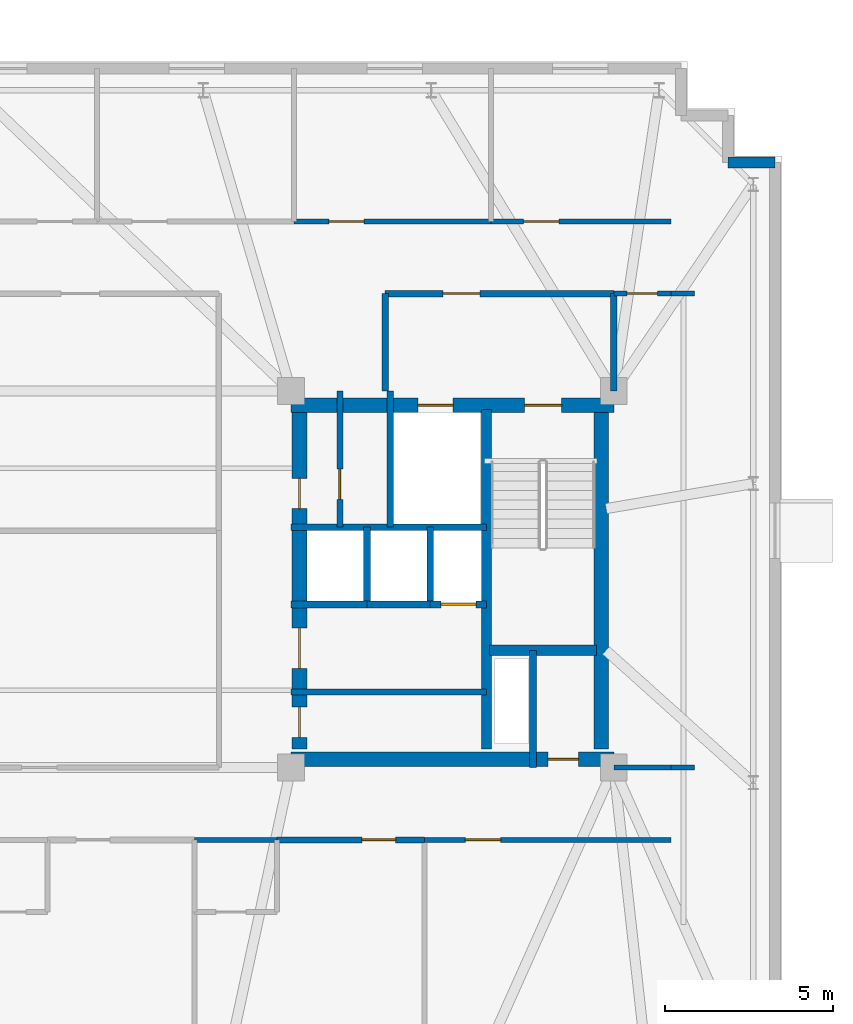
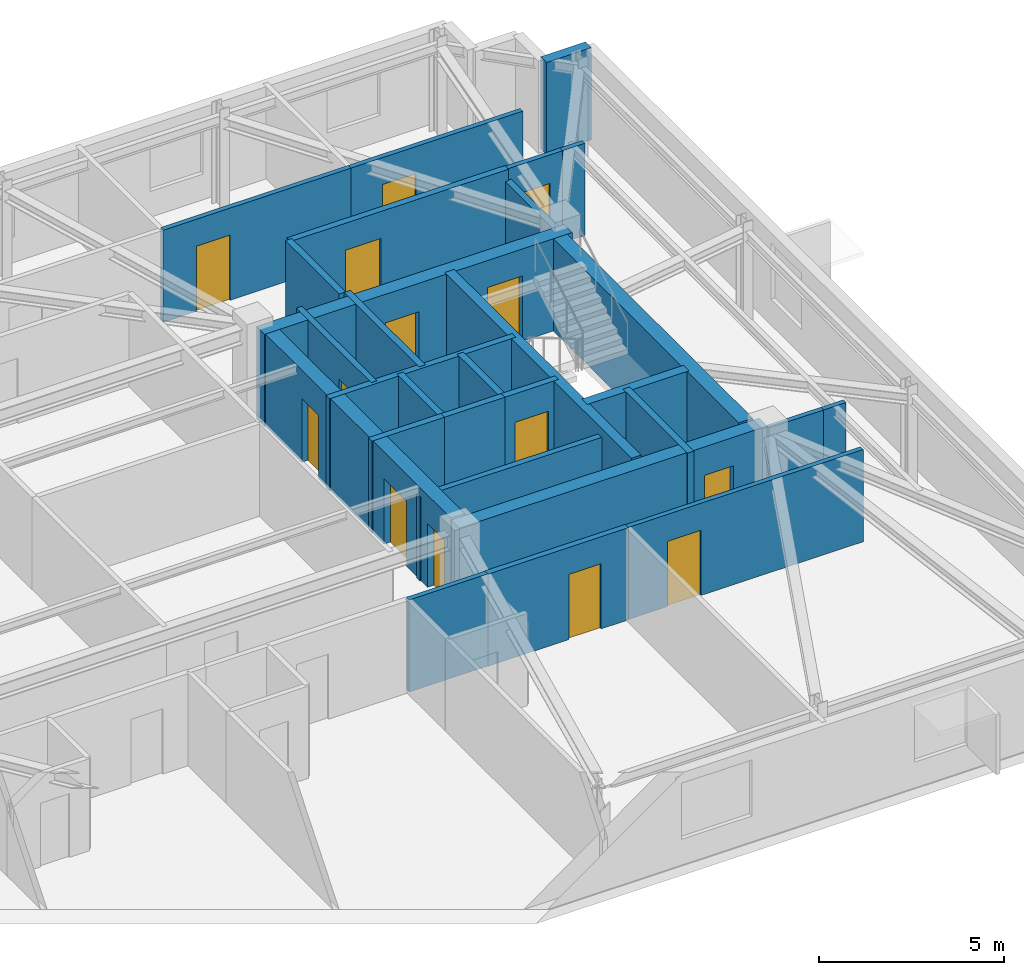
# One storey, part 8 of 11: 29 walls, 14 doors, 14 openings.
"""IFC4 building model written with IfcOpenShell, lengths in metres."""

from ifc_helpers import new_model, si_unit, direction, frame, frame_2d, origin, place, context, subcontext, project, spatial, rectangle, extrude, material, layer, layer_set, type_object, element, fill, save


model = new_model("IFC4")

# Units and contexts
model_context = context("Model", 3, precision=1e-05, world=origin(), true_north=direction((0.0, 1.0)))
body_context = subcontext(model_context, "Body", "Model", "MODEL_VIEW")
ifc_project = project(units=[si_unit("LENGTHUNIT", "METRE"), si_unit("AREAUNIT", "SQUARE_METRE"), si_unit("VOLUMEUNIT", "CUBIC_METRE"), si_unit("PLANEANGLEUNIT", "RADIAN"), si_unit("MASSUNIT", "GRAM", prefix="KILO")], contexts=[model_context])

# Site, building, storey
site_placement = place(None, origin())
site = spatial("IfcSite", under=ifc_project, at=site_placement, CompositionType="ELEMENT")
building_placement = place(site_placement, origin())
building = spatial("IfcBuilding", under=site, at=building_placement, Name="Qobustan Lattice House", CompositionType="ELEMENT")
storey_placement = place(building_placement, frame((0.0, 0.0, 245.050048828125)))
storey = spatial("IfcBuildingStorey", under=building, at=storey_placement, Name="L69", CompositionType="ELEMENT", Elevation=245.050048828125)

# Wall, openings, doors
ifc_material_1 = material(Name="Concrete C50/60", Category="concrete")
ifc_layer_1 = layer(ifc_material_1, 0.43994140625)
ifc_layer_set_1 = layer_set([ifc_layer_1], Name="Concrete C50/60")
wall_type_1 = type_object("IfcWallType", Name="WAL-CORE-440", PredefinedType="SHEAR", material=ifc_layer_set_1)
wall_1_placement = place(storey_placement, frame((9.199951171875, 5.179931640625, 0.0), z_axis=(0.0, 0.0, 1.0), x_axis=(1.0, 0.0, 0.0)))
wall_1 = element("IfcWall", 1, at=wall_1_placement, inside=storey, type_object=wall_type_1, Name="L69 split-core shear wall CE-N", PredefinedType="SHEAR", context=body_context, shape_type="SweptSolid", body=[
    extrude(rectangle(XDim=9.60009765625, YDim=0.43994140625, at=frame_2d((4.800048828125, 0.0))), origin(), (0.0, 0.0, 1.0), 3.0400390625),
])
opening_1_placement = place(wall_1_placement, frame((6.949951171875, 0.0, 0.0)))
opening_1 = element("IfcOpeningElement", 2, at=opening_1_placement, cuts=wall_1, Name="Opening SD-01", PredefinedType="OPENING", context=body_context, shape_type="SweptSolid", body=[
    extrude(rectangle(XDim=1.10009765625, YDim=2.14990234375, at=frame_2d((0.550048828125, 1.074951171875))), frame((0.0, 0.22998046875, 0.0), z_axis=(0.0, -1.0, 0.0), x_axis=(1.0, 0.0, 0.0)), (0.0, 0.0, 1.0), 0.4599609375),
])
opening_2_placement = place(wall_1_placement, frame((3.77490234375, 0.0, 0.0)))
opening_2 = element("IfcOpeningElement", 3, at=opening_2_placement, cuts=wall_1, Name="Opening LD-01", PredefinedType="OPENING", context=body_context, shape_type="SweptSolid", body=[
    extrude(rectangle(XDim=1.050048828125, YDim=2.10009765625, at=frame_2d((0.52490234375, 1.050048828125))), frame((0.0, 0.22998046875, 0.0), z_axis=(0.0, -1.0, 0.0), x_axis=(1.0, 0.0, 0.0)), (0.0, 0.0, 1.0), 0.4599609375),
])
ifc_material_2 = material(Name="Persian walnut timber and steel frame door", Category="steel")
door_type_1 = type_object("IfcDoorType", Name="DOR-LIFT-LD-1050x2100", OperationType="NOTDEFINED", PredefinedType="DOOR", material=ifc_material_2)
door_1_placement = place(opening_2_placement, origin())
door_1 = element("IfcDoor", 4, at=door_1_placement, inside=storey, type_object=door_type_1, Name="L69 firefighting lift FF-E landing door", OperationType="DOUBLE_DOOR_SLIDING", OverallHeight=2.10009765625, OverallWidth=1.050048828125, PredefinedType="DOOR", context=body_context, shape_type="SweptSolid", body=[
    extrude(rectangle(XDim=1.050048828125, YDim=2.10009765625, at=frame_2d((0.52490234375, 1.050048828125))), frame((0.0, 0.02490234375, 0.0), z_axis=(0.0, -1.0, 0.0), x_axis=(1.0, 0.0, 0.0)), (0.0, 0.0, 1.0), 0.050048828125),
])
fill(opening_2, door_1)
ifc_material_3 = material(Name="Persian walnut timber and steel frame door", Category="steel")
door_type_2 = type_object("IfcDoorType", Name="DOR-STAIR-FD-1100x2150", OperationType="NOTDEFINED", PredefinedType="DOOR", material=ifc_material_3)
door_2_placement = place(opening_1_placement, origin())
door_2 = element("IfcDoor", 5, at=door_2_placement, inside=storey, type_object=door_type_2, Name="L69 exit stair ST-E1 fire door", OperationType="SINGLE_SWING_LEFT", OverallHeight=2.14990234375, OverallWidth=1.10009765625, PredefinedType="DOOR", context=body_context, shape_type="SweptSolid", body=[
    extrude(rectangle(XDim=1.10009765625, YDim=2.14990234375, at=frame_2d((0.550048828125, 1.074951171875))), frame((0.0, 0.02490234375, 0.0), z_axis=(0.0, -1.0, 0.0), x_axis=(1.0, 0.0, 0.0)), (0.0, 0.0, 1.0), 0.050048828125),
])
fill(opening_1, door_2)

# Wall, opening, door
wall_2_placement = place(storey_placement, frame((9.199951171875, -5.35009765625, 0.0), z_axis=(0.0, 0.0, 1.0), x_axis=(1.0, 0.0, 0.0)))
wall_2 = element("IfcWall", 6, at=wall_2_placement, inside=storey, type_object=wall_type_1, Name="L69 split-core shear wall CE-S", PredefinedType="SHEAR", context=body_context, shape_type="SweptSolid", body=[
    extrude(rectangle(XDim=9.60009765625, YDim=0.43994140625, at=frame_2d((4.800048828125, 0.0))), origin(), (0.0, 0.0, 1.0), 3.0400390625),
])
opening_3_placement = place(wall_2_placement, frame((7.64990234375, 0.0, 0.0)))
opening_3 = element("IfcOpeningElement", 7, at=opening_3_placement, cuts=wall_2, Name="Opening RD-01", PredefinedType="OPENING", context=body_context, shape_type="SweptSolid", body=[
    extrude(rectangle(XDim=0.89990234375, YDim=2.10009765625, at=frame_2d((0.449951171875, 1.050048828125))), frame((0.0, 0.22998046875, 0.0), z_axis=(0.0, -1.0, 0.0), x_axis=(1.0, 0.0, 0.0)), (0.0, 0.0, 1.0), 0.4599609375),
])
ifc_material_4 = material(Name="Persian walnut timber and steel frame door", Category="steel")
door_type_3 = type_object("IfcDoorType", Name="DOR-RISER-FD-900x2100", OperationType="NOTDEFINED", PredefinedType="DOOR", material=ifc_material_4)
door_3_placement = place(opening_3_placement, origin())
door_3 = element("IfcDoor", 8, at=door_3_placement, inside=storey, type_object=door_type_3, Name="L69 core service riser access door E", OperationType="SINGLE_SWING_LEFT", OverallHeight=2.10009765625, OverallWidth=0.89990234375, PredefinedType="DOOR", context=body_context, shape_type="SweptSolid", body=[
    extrude(rectangle(XDim=0.89990234375, YDim=2.10009765625, at=frame_2d((0.449951171875, 1.050048828125))), frame((0.0, 0.02490234375, 0.0), z_axis=(0.0, -1.0, 0.0), x_axis=(1.0, 0.0, 0.0)), (0.0, 0.0, 1.0), 0.050048828125),
])
fill(opening_3, door_3)

# Wall, openings, doors
wall_3_placement = place(storey_placement, frame((9.449951171875, -5.050048828125, 0.0), z_axis=(0.0, 0.0, 1.0), x_axis=(0.0, 1.0, 0.0)))
wall_3 = element("IfcWall", 9, at=wall_3_placement, inside=storey, type_object=wall_type_1, Name="L69 split-core shear wall CE-W", PredefinedType="SHEAR", context=body_context, shape_type="SweptSolid", body=[
    extrude(rectangle(XDim=10.10009765625, YDim=0.43994140625, at=frame_2d((5.050048828125, 0.0))), origin(), (0.0, 0.0, 1.0), 3.0400390625),
])
opening_4_placement = place(wall_3_placement, frame((7.14990234375, 0.0, 0.0)))
opening_4 = element("IfcOpeningElement", 10, at=opening_4_placement, cuts=wall_3, Name="Opening RD-01", PredefinedType="OPENING", context=body_context, shape_type="SweptSolid", body=[
    extrude(rectangle(XDim=0.89990234375, YDim=2.10009765625, at=frame_2d((0.449951171875, 1.050048828125))), frame((0.0, 0.22998046875, 0.0), z_axis=(0.0, -1.0, 0.0), x_axis=(1.0, 0.0, 0.0)), (0.0, 0.0, 1.0), 0.4599609375),
])
opening_5_placement = place(wall_3_placement, frame((2.39990234375, 0.0, 0.0)))
opening_5 = element("IfcOpeningElement", 11, at=opening_5_placement, cuts=wall_3, Name="Opening FD-01", PredefinedType="OPENING", context=body_context, shape_type="SweptSolid", body=[
    extrude(rectangle(XDim=1.199951171875, YDim=2.14990234375, at=frame_2d((0.60009765625, 1.074951171875))), frame((0.0, 0.22998046875, 0.0), z_axis=(0.0, -1.0, 0.0), x_axis=(1.0, 0.0, 0.0)), (0.0, 0.0, 1.0), 0.4599609375),
])
opening_6_placement = place(wall_3_placement, frame((0.35009765625, 0.0, 0.0)))
opening_6 = element("IfcOpeningElement", 12, at=opening_6_placement, cuts=wall_3, Name="Opening RD-01", PredefinedType="OPENING", context=body_context, shape_type="SweptSolid", body=[
    extrude(rectangle(XDim=0.89990234375, YDim=2.10009765625, at=frame_2d((0.449951171875, 1.050048828125))), frame((0.0, 0.22998046875, 0.0), z_axis=(0.0, -1.0, 0.0), x_axis=(1.0, 0.0, 0.0)), (0.0, 0.0, 1.0), 0.4599609375),
])
ifc_material_5 = material(Name="Persian walnut timber and steel frame door", Category="steel")
door_type_4 = type_object("IfcDoorType", Name="DOR-LOBBY-FD-1200x2150", OperationType="NOTDEFINED", PredefinedType="DOOR", material=ifc_material_5)
door_4_placement = place(opening_5_placement, origin())
door_4 = element("IfcDoor", 13, at=door_4_placement, inside=storey, type_object=door_type_4, Name="L69 East passenger lift lobby fire door", OperationType="SINGLE_SWING_RIGHT", OverallHeight=2.14990234375, OverallWidth=1.199951171875, PredefinedType="DOOR", context=body_context, shape_type="SweptSolid", body=[
    extrude(rectangle(XDim=1.199951171875, YDim=2.14990234375, at=frame_2d((0.60009765625, 1.074951171875))), frame((0.0, 0.02490234375, 0.0), z_axis=(0.0, -1.0, 0.0), x_axis=(1.0, 0.0, 0.0)), (0.0, 0.0, 1.0), 0.050048828125),
])
fill(opening_5, door_4)
door_5_placement = place(opening_4_placement, origin())
door_5 = element("IfcDoor", 14, at=door_5_placement, inside=storey, type_object=door_type_3, Name="L69 Print and mail closet fire door", OperationType="SINGLE_SWING_LEFT", OverallHeight=2.10009765625, OverallWidth=0.89990234375, PredefinedType="DOOR", context=body_context, shape_type="SweptSolid", body=[
    extrude(rectangle(XDim=0.89990234375, YDim=2.10009765625, at=frame_2d((0.449951171875, 1.050048828125))), frame((0.0, 0.02490234375, 0.0), z_axis=(0.0, -1.0, 0.0), x_axis=(1.0, 0.0, 0.0)), (0.0, 0.0, 1.0), 0.050048828125),
])
fill(opening_4, door_5)
door_6_placement = place(opening_6_placement, origin())
door_6 = element("IfcDoor", 15, at=door_6_placement, inside=storey, type_object=door_type_3, Name="L69 Graduate seminar alcove fire door", OperationType="SINGLE_SWING_LEFT", OverallHeight=2.10009765625, OverallWidth=0.89990234375, PredefinedType="DOOR", context=body_context, shape_type="SweptSolid", body=[
    extrude(rectangle(XDim=0.89990234375, YDim=2.10009765625, at=frame_2d((0.449951171875, 1.050048828125))), frame((0.0, 0.02490234375, 0.0), z_axis=(0.0, -1.0, 0.0), x_axis=(1.0, 0.0, 0.0)), (0.0, 0.0, 1.0), 0.050048828125),
])
fill(opening_6, door_6)

# Walls
wall_4_placement = place(storey_placement, frame((18.429931640625, -5.050048828125, 0.0), z_axis=(0.0, 0.0, 1.0), x_axis=(0.0, 1.0, 0.0)))
element("IfcWall", 16, at=wall_4_placement, inside=storey, type_object=wall_type_1, Name="L69 split-core shear wall CE-E", PredefinedType="SHEAR", context=body_context, shape_type="SweptSolid", body=[
    extrude(rectangle(XDim=10.10009765625, YDim=0.43994140625, at=frame_2d((5.050048828125, 0.0))), origin(), (0.0, 0.0, 1.0), 3.0400390625),
])
ifc_material_6 = material(Name="Concrete C50/60", Category="concrete")
ifc_layer_2 = layer(ifc_material_6, 0.280029296875)
ifc_layer_set_2 = layer_set([ifc_layer_2], Name="Concrete C50/60")
wall_type_2 = type_object("IfcWallType", Name="WAL-CORE-SPINE-280", PredefinedType="SHEAR", material=ifc_layer_set_2)
wall_5_placement = place(storey_placement, frame((15.02001953125, -5.050048828125, 0.0), z_axis=(0.0, 0.0, 1.0), x_axis=(0.0, 1.0, 0.0)))
element("IfcWall", 17, at=wall_5_placement, inside=storey, type_object=wall_type_2, Name="L69 split-core shear wall CE-M", PredefinedType="SHEAR", context=body_context, shape_type="SweptSolid", body=[
    extrude(rectangle(XDim=10.10009765625, YDim=0.300048828125, at=frame_2d((5.050048828125, 0.0))), origin(), (0.0, 0.0, 1.0), 3.0400390625),
])
wall_6_placement = place(storey_placement, frame((15.10009765625, -2.110107421875, 0.0), z_axis=(0.0, 0.0, 1.0), x_axis=(1.0, 0.0, 0.0)))
element("IfcWall", 18, at=wall_6_placement, inside=storey, type_object=wall_type_2, Name="L69 split-core shear wall CE-ST", PredefinedType="SHEAR", context=body_context, shape_type="SweptSolid", body=[
    extrude(rectangle(XDim=3.179931640625, YDim=0.300048828125, at=frame_2d((1.58984375, 0.0))), origin(), (0.0, 0.0, 1.0), 3.0400390625),
])
ifc_material_7 = material(Name="Precast concrete C40/50", Category="concrete")
ifc_layer_3 = layer(ifc_material_7, 0.320068359375)
ifc_layer_set_3 = layer_set([ifc_layer_3], Name="Precast concrete C40/50")
wall_type_3 = type_object("IfcWallType", Name="WAL-EXT-STONE-320", PredefinedType="SOLIDWALL", material=ifc_layer_set_3)
wall_7_placement = place(storey_placement, frame((22.199951171875, 12.39990234375, 0.0), z_axis=(0.0, 0.0, 1.0), x_axis=(1.0, 0.0, 0.0)))
element("IfcWall", 19, at=wall_7_placement, inside=storey, type_object=wall_type_3, Name="L69 exterior limestone-clad wall 14", PredefinedType="SOLIDWALL", context=body_context, shape_type="SweptSolid", body=[
    extrude(rectangle(XDim=1.400146484375, YDim=0.320068359375, at=frame_2d((0.7001953125, 0.0))), origin(), (0.0, 0.0, 1.0), 3.0400390625),
])

# Wall, opening, door
ifc_material_8 = material(Name="Gypsum fireboard acoustic partition", Category="gypsum")
ifc_layer_4 = layer(ifc_material_8, 0.179931640625)
ifc_layer_set_4 = layer_set([ifc_layer_4], Name="Gypsum fireboard acoustic partition")
wall_type_4 = type_object("IfcWallType", Name="WAL-FIRE-180", PredefinedType="PARTITIONING", material=ifc_layer_set_4)
wall_8_placement = place(storey_placement, frame((10.64990234375, 1.550048828125, 0.0), z_axis=(0.0, 0.0, 1.0), x_axis=(0.0, 1.0, 0.0)))
wall_8 = element("IfcWall", 20, at=wall_8_placement, inside=storey, type_object=wall_type_4, Name="L69 interior partition 18", PredefinedType="PARTITIONING", context=body_context, shape_type="SweptSolid", body=[
    extrude(rectangle(XDim=4.050048828125, YDim=0.179931640625, at=frame_2d((2.02490234375, 0.0))), origin(), (0.0, 0.0, 1.0), 3.0400390625),
])
opening_7_placement = place(wall_8_placement, frame((0.828857421875, 0.0, 0.0)))
opening_7 = element("IfcOpeningElement", 21, at=opening_7_placement, cuts=wall_8, Name="Opening RD-01", PredefinedType="OPENING", context=body_context, shape_type="SweptSolid", body=[
    extrude(rectangle(XDim=0.89990234375, YDim=2.10009765625, at=frame_2d((0.449951171875, 1.050048828125))), frame((0.0, 0.099853515625, 0.0), z_axis=(0.0, -1.0, 0.0), x_axis=(1.0, 0.0, 0.0)), (0.0, 0.0, 1.0), 0.199951171875),
])
door_7_placement = place(opening_7_placement, origin())
door_7 = element("IfcDoor", 22, at=door_7_placement, inside=storey, type_object=door_type_3, Name="L69 Print and mail closet to Core utility store door", OperationType="SINGLE_SWING_RIGHT", OverallHeight=2.10009765625, OverallWidth=0.89990234375, PredefinedType="DOOR", context=body_context, shape_type="SweptSolid", body=[
    extrude(rectangle(XDim=0.89990234375, YDim=2.10009765625, at=frame_2d((0.449951171875, 1.050048828125))), frame((0.0, 0.02490234375, 0.0), z_axis=(0.0, -1.0, 0.0), x_axis=(1.0, 0.0, 0.0)), (0.0, 0.0, 1.0), 0.050048828125),
])
fill(opening_7, door_7)

# Wall
wall_9_placement = place(storey_placement, frame((9.199951171875, -3.35009765625, 0.0), z_axis=(0.0, 0.0, 1.0), x_axis=(1.0, 0.0, 0.0)))
element("IfcWall", 23, at=wall_9_placement, inside=storey, type_object=wall_type_4, Name="L69 interior partition 20", PredefinedType="PARTITIONING", context=body_context, shape_type="SweptSolid", body=[
    extrude(rectangle(XDim=5.820068359375, YDim=0.179931640625, at=frame_2d((2.91015625, 0.0))), origin(), (0.0, 0.0, 1.0), 2.7548828125),
])

# Wall, opening, door
wall_10_placement = place(storey_placement, frame((13.1669921875, -7.75, 0.0), z_axis=(0.0, 0.0, 1.0), x_axis=(-1.0, 0.0, 0.0)))
wall_10 = element("IfcWall", 24, at=wall_10_placement, inside=storey, type_object=wall_type_4, Name="L69 interior partition 56", PredefinedType="PARTITIONING", context=body_context, shape_type="SweptSolid", body=[
    extrude(rectangle(XDim=4.384033203125, YDim=0.179931640625, at=frame_2d((2.19189453125, 0.0))), origin(), (0.0, 0.0, 1.0), 3.0400390625),
])
opening_8_placement = place(wall_10_placement, frame((0.85791015625, 0.0, 0.0)))
opening_8 = element("IfcOpeningElement", 25, at=opening_8_placement, cuts=wall_10, Name="Opening FD-02", PredefinedType="OPENING", context=body_context, shape_type="SweptSolid", body=[
    extrude(rectangle(XDim=1.0, YDim=2.14990234375, at=frame_2d((0.5, 1.074951171875))), frame((0.0, 0.099853515625, 0.0), z_axis=(0.0, -1.0, 0.0), x_axis=(1.0, 0.0, 0.0)), (0.0, 0.0, 1.0), 0.199951171875),
])
ifc_material_9 = material(Name="Persian walnut timber and steel frame door", Category="steel")
door_type_5 = type_object("IfcDoorType", Name="DOR-UNIT-FD-1000x2150", OperationType="NOTDEFINED", PredefinedType="DOOR", material=ifc_material_9)
door_8_placement = place(opening_8_placement, origin())
door_8 = element("IfcDoor", 26, at=door_8_placement, inside=storey, type_object=door_type_5, Name="L69 South-east floor corridor to Kitchenette and studio apartment L69-S5 door", OperationType="SINGLE_SWING_LEFT", OverallHeight=2.14990234375, OverallWidth=1.0, PredefinedType="DOOR", context=body_context, shape_type="SweptSolid", body=[
    extrude(rectangle(XDim=1.0, YDim=2.14990234375, at=frame_2d((0.5, 1.074951171875))), frame((0.0, 0.02490234375, 0.0), z_axis=(0.0, -1.0, 0.0), x_axis=(1.0, 0.0, 0.0)), (0.0, 0.0, 1.0), 0.050048828125),
])
fill(opening_8, door_8)

ifc_material_10 = material(Name="Acoustic twin-stud gypsum partition", Category="gypsum")
ifc_layer_5 = layer(ifc_material_10, 0.14990234375)
ifc_layer_set_5 = layer_set([ifc_layer_5], Name="Acoustic twin-stud gypsum partition")
wall_type_5 = type_object("IfcWallType", Name="WAL-PART-150", PredefinedType="PARTITIONING", material=ifc_layer_set_5)
wall_11_placement = place(storey_placement, frame((20.5, 8.5, 0.0), z_axis=(0.0, 0.0, 1.0), x_axis=(-1.0, 0.0, 0.0)))
wall_11 = element("IfcWall", 27, at=wall_11_placement, inside=storey, type_object=wall_type_5, Name="L69 interior partition 36", PredefinedType="PARTITIONING", context=body_context, shape_type="SweptSolid", body=[
    extrude(rectangle(XDim=1.699951171875, YDim=0.14990234375, at=frame_2d((0.85009765625, 0.0))), origin(), (0.0, 0.0, 1.0), 3.0400390625),
])
opening_9_placement = place(wall_11_placement, frame((0.39990234375, 0.0, 0.0)))
opening_9 = element("IfcOpeningElement", 28, at=opening_9_placement, cuts=wall_11, Name="Opening WD-01", PredefinedType="OPENING", context=body_context, shape_type="SweptSolid", body=[
    extrude(rectangle(XDim=0.89990234375, YDim=2.10009765625, at=frame_2d((0.449951171875, 1.050048828125))), frame((0.0, 0.0849609375, 0.0), z_axis=(0.0, -1.0, 0.0), x_axis=(1.0, 0.0, 0.0)), (0.0, 0.0, 1.0), 0.169921875),
])
ifc_material_11 = material(Name="Persian walnut timber and steel frame door", Category="steel")
door_type_6 = type_object("IfcDoorType", Name="DOR-WET-900x2100", OperationType="NOTDEFINED", PredefinedType="DOOR", material=ifc_material_11)
door_9_placement = place(opening_9_placement, origin())
door_9 = element("IfcDoor", 29, at=door_9_placement, inside=storey, type_object=door_type_6, Name="L69 North-east floor corridor to Communal study lounge door", OperationType="SINGLE_SWING_LEFT", OverallHeight=2.10009765625, OverallWidth=0.89990234375, PredefinedType="DOOR", context=body_context, shape_type="SweptSolid", body=[
    extrude(rectangle(XDim=0.89990234375, YDim=2.10009765625, at=frame_2d((0.449951171875, 1.050048828125))), frame((0.0, 0.02490234375, 0.0), z_axis=(0.0, -1.0, 0.0), x_axis=(1.0, 0.0, 0.0)), (0.0, 0.0, 1.0), 0.050048828125),
])
fill(opening_9, door_9)

# Wall
wall_12_placement = place(storey_placement, frame((21.199951171875, 8.5, 0.0), z_axis=(0.0, 0.0, 1.0), x_axis=(-1.0, 0.0, 0.0)))
element("IfcWall", 30, at=wall_12_placement, inside=storey, type_object=wall_type_5, Name="L69 interior partition 37", PredefinedType="PARTITIONING", context=body_context, shape_type="SweptSolid", body=[
    extrude(rectangle(XDim=0.699951171875, YDim=0.14990234375, at=frame_2d((0.35009765625, 0.0))), origin(), (0.0, 0.0, 1.0), 3.0400390625),
])

# Wall, opening, door
wall_13_placement = place(storey_placement, frame((9.285888671875, 10.64990234375, 0.0), z_axis=(0.0, 0.0, 1.0), x_axis=(1.0, 0.0, 0.0)))
wall_13 = element("IfcWall", 31, at=wall_13_placement, inside=storey, type_object=wall_type_5, Name="L69 interior partition 40", PredefinedType="PARTITIONING", context=body_context, shape_type="SweptSolid", body=[
    extrude(rectangle(XDim=5.857177734375, YDim=0.14990234375, at=frame_2d((2.9287109375, 0.0))), origin(), (0.0, 0.0, 1.0), 3.0400390625),
])
opening_10_placement = place(wall_13_placement, frame((1.035888671875, 0.0, 0.0)))
opening_10 = element("IfcOpeningElement", 32, at=opening_10_placement, cuts=wall_13, Name="Opening ID-02", PredefinedType="OPENING", context=body_context, shape_type="SweptSolid", body=[
    extrude(rectangle(XDim=1.050048828125, YDim=2.14990234375, at=frame_2d((0.52490234375, 1.074951171875))), frame((0.0, 0.0849609375, 0.0), z_axis=(0.0, -1.0, 0.0), x_axis=(1.0, 0.0, 0.0)), (0.0, 0.0, 1.0), 0.169921875),
])
ifc_material_12 = material(Name="Persian walnut timber and steel frame door", Category="steel")
door_type_7 = type_object("IfcDoorType", Name="DOR-STUDY-1050x2150", OperationType="NOTDEFINED", PredefinedType="DOOR", material=ifc_material_12)
door_10_placement = place(opening_10_placement, origin())
door_10 = element("IfcDoor", 33, at=door_10_placement, inside=storey, type_object=door_type_7, Name="L69 North-east floor corridor to Focus study room N6 door", OperationType="SINGLE_SWING_RIGHT", OverallHeight=2.14990234375, OverallWidth=1.050048828125, PredefinedType="DOOR", context=body_context, shape_type="SweptSolid", body=[
    extrude(rectangle(XDim=1.050048828125, YDim=2.14990234375, at=frame_2d((0.52490234375, 1.074951171875))), frame((0.0, 0.02490234375, 0.0), z_axis=(0.0, -1.0, 0.0), x_axis=(1.0, 0.0, 0.0)), (0.0, 0.0, 1.0), 0.050048828125),
])
fill(opening_10, door_10)

wall_14_placement = place(storey_placement, frame((15.14306640625, 10.64990234375, 0.0), z_axis=(0.0, 0.0, 1.0), x_axis=(1.0, 0.0, 0.0)))
wall_14 = element("IfcWall", 34, at=wall_14_placement, inside=storey, type_object=wall_type_5, Name="L69 interior partition 41", PredefinedType="PARTITIONING", context=body_context, shape_type="SweptSolid", body=[
    extrude(rectangle(XDim=5.35693359375, YDim=0.14990234375, at=frame_2d((2.678466796875, 0.0))), origin(), (0.0, 0.0, 1.0), 3.0400390625),
])
opening_11_placement = place(wall_14_placement, frame((0.973388671875, 0.0, 0.0)))
opening_11 = element("IfcOpeningElement", 35, at=opening_11_placement, cuts=wall_14, Name="Opening ID-02", PredefinedType="OPENING", context=body_context, shape_type="SweptSolid", body=[
    extrude(rectangle(XDim=1.050048828125, YDim=2.14990234375, at=frame_2d((0.52490234375, 1.074951171875))), frame((0.0, 0.0849609375, 0.0), z_axis=(0.0, -1.0, 0.0), x_axis=(1.0, 0.0, 0.0)), (0.0, 0.0, 1.0), 0.169921875),
])
door_11_placement = place(opening_11_placement, origin())
door_11 = element("IfcDoor", 36, at=door_11_placement, inside=storey, type_object=door_type_7, Name="L69 North-east floor corridor to Focus study room N7 door", OperationType="SINGLE_SWING_LEFT", OverallHeight=2.14990234375, OverallWidth=1.050048828125, PredefinedType="DOOR", context=body_context, shape_type="SweptSolid", body=[
    extrude(rectangle(XDim=1.050048828125, YDim=2.14990234375, at=frame_2d((0.52490234375, 1.074951171875))), frame((0.0, 0.02490234375, 0.0), z_axis=(0.0, -1.0, 0.0), x_axis=(1.0, 0.0, 0.0)), (0.0, 0.0, 1.0), 0.050048828125),
])
fill(opening_11, door_11)

# Walls
wall_15_placement = place(storey_placement, frame((18.800048828125, -5.60009765625, 0.0), z_axis=(0.0, 0.0, 1.0), x_axis=(1.0, 0.0, 0.0)))
element("IfcWall", 37, at=wall_15_placement, inside=storey, type_object=wall_type_5, Name="L69 interior partition 52", PredefinedType="PARTITIONING", context=body_context, shape_type="SweptSolid", body=[
    extrude(rectangle(XDim=1.699951171875, YDim=0.14990234375, at=frame_2d((0.85009765625, 0.0))), origin(), (0.0, 0.0, 1.0), 3.0400390625),
])
wall_16_placement = place(storey_placement, frame((20.5, -5.60009765625, 0.0), z_axis=(0.0, 0.0, 1.0), x_axis=(1.0, 0.0, 0.0)))
element("IfcWall", 38, at=wall_16_placement, inside=storey, type_object=wall_type_5, Name="L69 interior partition 53", PredefinedType="PARTITIONING", context=body_context, shape_type="SweptSolid", body=[
    extrude(rectangle(XDim=0.699951171875, YDim=0.14990234375, at=frame_2d((0.35009765625, 0.0))), origin(), (0.0, 0.0, 1.0), 3.0400390625),
])

# Wall, opening, door
wall_17_placement = place(storey_placement, frame((20.5, -7.75, 0.0), z_axis=(0.0, 0.0, 1.0), x_axis=(-1.0, 0.0, 0.0)))
wall_17 = element("IfcWall", 39, at=wall_17_placement, inside=storey, type_object=wall_type_5, Name="L69 interior partition 58", PredefinedType="PARTITIONING", context=body_context, shape_type="SweptSolid", body=[
    extrude(rectangle(XDim=7.3330078125, YDim=0.14990234375, at=frame_2d((3.66650390625, 0.0))), origin(), (0.0, 0.0, 1.0), 3.0400390625),
])
opening_12_placement = place(wall_17_placement, frame((5.0625, 0.0, 0.0)))
opening_12 = element("IfcOpeningElement", 40, at=opening_12_placement, cuts=wall_17, Name="Opening ID-02", PredefinedType="OPENING", context=body_context, shape_type="SweptSolid", body=[
    extrude(rectangle(XDim=1.050048828125, YDim=2.14990234375, at=frame_2d((0.52490234375, 1.074951171875))), frame((0.0, 0.0849609375, 0.0), z_axis=(0.0, -1.0, 0.0), x_axis=(1.0, 0.0, 0.0)), (0.0, 0.0, 1.0), 0.169921875),
])
door_12_placement = place(opening_12_placement, origin())
door_12 = element("IfcDoor", 41, at=door_12_placement, inside=storey, type_object=door_type_7, Name="L69 South-east floor corridor to Group study room door", OperationType="SINGLE_SWING_RIGHT", OverallHeight=2.14990234375, OverallWidth=1.050048828125, PredefinedType="DOOR", context=body_context, shape_type="SweptSolid", body=[
    extrude(rectangle(XDim=1.050048828125, YDim=2.14990234375, at=frame_2d((0.52490234375, 1.074951171875))), frame((0.0, 0.02490234375, 0.0), z_axis=(0.0, -1.0, 0.0), x_axis=(1.0, 0.0, 0.0)), (0.0, 0.0, 1.0), 0.050048828125),
])
fill(opening_12, door_12)

ifc_material_13 = material(Name="Two-hour gypsum fireboard acoustic partition", Category="gypsum")
ifc_layer_6 = layer(ifc_material_13, 0.199951171875)
ifc_layer_set_6 = layer_set([ifc_layer_6], Name="Two-hour gypsum fireboard acoustic partition")
wall_type_6 = type_object("IfcWallType", Name="WAL-PROT-200", PredefinedType="PARTITIONING", material=ifc_layer_set_6)
wall_18_placement = place(storey_placement, frame((18.800048828125, 8.5, 0.0), z_axis=(0.0, 0.0, 1.0), x_axis=(-1.0, 0.0, 0.0)))
wall_18 = element("IfcWall", 42, at=wall_18_placement, inside=storey, type_object=wall_type_6, Name="L69 interior partition 15", PredefinedType="PARTITIONING", context=body_context, shape_type="SweptSolid", body=[
    extrude(rectangle(XDim=6.800048828125, YDim=0.199951171875, at=frame_2d((3.39990234375, 0.0))), origin(), (0.0, 0.0, 1.0), 3.0400390625),
])
opening_13_placement = place(wall_18_placement, frame((3.985107421875, 0.0, 0.0)))
opening_13 = element("IfcOpeningElement", 43, at=opening_13_placement, cuts=wall_18, Name="Opening SD-01", PredefinedType="OPENING", context=body_context, shape_type="SweptSolid", body=[
    extrude(rectangle(XDim=1.10009765625, YDim=2.14990234375, at=frame_2d((0.550048828125, 1.074951171875))), frame((0.0, 0.10986328125, 0.0), z_axis=(0.0, -1.0, 0.0), x_axis=(1.0, 0.0, 0.0)), (0.0, 0.0, 1.0), 0.219970703125),
])
door_13_placement = place(opening_13_placement, origin())
door_13 = element("IfcDoor", 44, at=door_13_placement, inside=storey, type_object=door_type_2, Name="L69 East firefighting lift lobby to North-east floor corridor door", OperationType="SINGLE_SWING_LEFT", OverallHeight=2.14990234375, OverallWidth=1.10009765625, PredefinedType="DOOR", context=body_context, shape_type="SweptSolid", body=[
    extrude(rectangle(XDim=1.10009765625, YDim=2.14990234375, at=frame_2d((0.550048828125, 1.074951171875))), frame((0.0, 0.02490234375, 0.0), z_axis=(0.0, -1.0, 0.0), x_axis=(1.0, 0.0, 0.0)), (0.0, 0.0, 1.0), 0.050048828125),
])
fill(opening_13, door_13)

# Walls
wall_19_placement = place(storey_placement, frame((12.0, 8.5, 0.0), z_axis=(0.0, 0.0, 1.0), x_axis=(0.0, -1.0, 0.0)))
element("IfcWall", 45, at=wall_19_placement, inside=storey, type_object=wall_type_6, Name="L69 interior partition 16", PredefinedType="PARTITIONING", context=body_context, shape_type="SweptSolid", body=[
    extrude(rectangle(XDim=2.89990234375, YDim=0.199951171875, at=frame_2d((1.449951171875, 0.0))), origin(), (0.0, 0.0, 1.0), 3.0400390625),
])
wall_20_placement = place(storey_placement, frame((18.800048828125, 5.60009765625, 0.0), z_axis=(0.0, 0.0, 1.0), x_axis=(0.0, 1.0, 0.0)))
element("IfcWall", 46, at=wall_20_placement, inside=storey, type_object=wall_type_6, Name="L69 interior partition 17", PredefinedType="PARTITIONING", context=body_context, shape_type="SweptSolid", body=[
    extrude(rectangle(XDim=2.89990234375, YDim=0.199951171875, at=frame_2d((1.449951171875, 0.0))), origin(), (0.0, 0.0, 1.0), 2.6650390625),
])
ifc_material_14 = material(Name="Concrete C40/50", Category="concrete")
ifc_layer_7 = layer(ifc_material_14, 0.199951171875)
ifc_layer_set_7 = layer_set([ifc_layer_7], Name="Concrete C40/50")
wall_type_7 = type_object("IfcWallType", Name="WAL-SHAFT-200", PredefinedType="PARTITIONING", material=ifc_layer_set_7)
wall_21_placement = place(storey_placement, frame((16.39990234375, -2.110107421875, 0.0), z_axis=(0.0, 0.0, 1.0), x_axis=(0.0, -1.0, 0.0)))
element("IfcWall", 47, at=wall_21_placement, inside=storey, type_object=wall_type_7, Name="L69 interior partition 13", PredefinedType="PARTITIONING", context=body_context, shape_type="SweptSolid", body=[
    extrude(rectangle(XDim=3.489990234375, YDim=0.199951171875, at=frame_2d((1.7451171875, 0.0))), origin(), (0.0, 0.0, 1.0), 3.0400390625),
])
wall_22_placement = place(storey_placement, frame((12.14990234375, 5.60009765625, 0.0), z_axis=(0.0, 0.0, 1.0), x_axis=(0.0, -1.0, 0.0)))
element("IfcWall", 48, at=wall_22_placement, inside=storey, type_object=wall_type_7, Name="L69 interior partition 14", PredefinedType="PARTITIONING", context=body_context, shape_type="SweptSolid", body=[
    extrude(rectangle(XDim=4.050048828125, YDim=0.199951171875, at=frame_2d((2.02490234375, 0.0))), origin(), (0.0, 0.0, 1.0), 3.0400390625),
])
wall_23_placement = place(storey_placement, frame((11.4599609375, -0.75, 0.0), z_axis=(0.0, 0.0, 1.0), x_axis=(-1.0, 0.0, 0.0)))
element("IfcWall", 49, at=wall_23_placement, inside=storey, type_object=wall_type_7, Name="L69 interior partition 21", PredefinedType="PARTITIONING", context=body_context, shape_type="SweptSolid", body=[
    extrude(rectangle(XDim=2.260009765625, YDim=0.199951171875, at=frame_2d((1.1298828125, 0.0))), origin(), (0.0, 0.0, 1.0), 3.0400390625),
])
wall_24_placement = place(storey_placement, frame((13.340087890625, -0.75, 0.0), z_axis=(0.0, 0.0, 1.0), x_axis=(-1.0, 0.0, 0.0)))
element("IfcWall", 50, at=wall_24_placement, inside=storey, type_object=wall_type_7, Name="L69 interior partition 22", PredefinedType="PARTITIONING", context=body_context, shape_type="SweptSolid", body=[
    extrude(rectangle(XDim=1.880126953125, YDim=0.199951171875, at=frame_2d((0.93994140625, 0.0))), origin(), (0.0, 0.0, 1.0), 3.0400390625),
])

# Wall, opening, door
wall_25_placement = place(storey_placement, frame((15.02001953125, -0.75, 0.0), z_axis=(0.0, 0.0, 1.0), x_axis=(-1.0, 0.0, 0.0)))
wall_25 = element("IfcWall", 51, at=wall_25_placement, inside=storey, type_object=wall_type_7, Name="L69 interior partition 23", PredefinedType="PARTITIONING", context=body_context, shape_type="SweptSolid", body=[
    extrude(rectangle(XDim=1.679931640625, YDim=0.199951171875, at=frame_2d((0.83984375, 0.0))), origin(), (0.0, 0.0, 1.0), 3.0400390625),
])
opening_14_placement = place(wall_25_placement, frame((0.31494140625, 0.0, 0.0)))
opening_14 = element("IfcOpeningElement", 52, at=opening_14_placement, cuts=wall_25, Name="Opening LD-01", PredefinedType="OPENING", context=body_context, shape_type="SweptSolid", body=[
    extrude(rectangle(XDim=1.050048828125, YDim=2.10009765625, at=frame_2d((0.52490234375, 1.050048828125))), frame((0.0, 0.10986328125, 0.0), z_axis=(0.0, -1.0, 0.0), x_axis=(1.0, 0.0, 0.0)), (0.0, 0.0, 1.0), 0.219970703125),
])
door_14_placement = place(opening_14_placement, origin())
door_14 = element("IfcDoor", 53, at=door_14_placement, inside=storey, type_object=door_type_1, Name="L69 lift landing door", OperationType="DOUBLE_DOOR_SLIDING", OverallHeight=2.10009765625, OverallWidth=1.050048828125, PredefinedType="DOOR", context=body_context, shape_type="SweptSolid", body=[
    extrude(rectangle(XDim=1.050048828125, YDim=2.10009765625, at=frame_2d((0.52490234375, 1.050048828125))), frame((0.0, 0.02490234375, 0.0), z_axis=(0.0, -1.0, 0.0), x_axis=(1.0, 0.0, 0.0)), (0.0, 0.0, 1.0), 0.050048828125),
])
fill(opening_14, door_14)

# Walls
for number, where, z_axis, x_axis, name in (
    (54, (11.4599609375, -0.75, 0.0), (0.0, 0.0, 1.0), (0.0, 1.0, 0.0), "L69 interior partition 26"),
    (55, (13.340087890625, -0.75, 0.0), (0.0, 0.0, 1.0), (0.0, 1.0, 0.0), "L69 interior partition 27"),
):
    element("IfcWall", number, at=place(storey_placement, frame(where, z_axis=z_axis, x_axis=x_axis)), inside=storey, type_object=wall_type_7, Name=name, PredefinedType="PARTITIONING", context=body_context, shape_type="SweptSolid", body=[
        extrude(rectangle(XDim=2.300048828125, YDim=0.199951171875, at=frame_2d((1.14990234375, 0.0))), origin(), (0.0, 0.0, 1.0), 3.0400390625),
    ])
wall_26_placement = place(storey_placement, frame((9.199951171875, 1.550048828125, 0.0), z_axis=(0.0, 0.0, 1.0), x_axis=(1.0, 0.0, 0.0)))
element("IfcWall", 56, at=wall_26_placement, inside=storey, type_object=wall_type_7, Name="L69 interior partition 100", PredefinedType="PARTITIONING", context=body_context, shape_type="SweptSolid", body=[
    extrude(rectangle(XDim=5.820068359375, YDim=0.199951171875, at=frame_2d((2.91015625, 0.0))), origin(), (0.0, 0.0, 1.0), 3.0400390625),
])
ifc_material_15 = material(Name="Moisture-resistant acoustic plumbing wall", Category="gypsum")
ifc_layer_8 = layer(ifc_material_15, 0.14990234375)
ifc_layer_set_8 = layer_set([ifc_layer_8], Name="Moisture-resistant acoustic plumbing wall")
wall_type_8 = type_object("IfcWallType", Name="WAL-WET-150", PredefinedType="PLUMBINGWALL", material=ifc_layer_set_8)
wall_27_placement = place(storey_placement, frame((8.782958984375, -7.75, 0.0), z_axis=(0.0, 0.0, 1.0), x_axis=(-1.0, 0.0, 0.0)))
element("IfcWall", 57, at=wall_27_placement, inside=storey, type_object=wall_type_8, Name="L69 interior partition 57", PredefinedType="PLUMBINGWALL", context=body_context, shape_type="SweptSolid", body=[
    extrude(rectangle(XDim=2.449951171875, YDim=0.14990234375, at=frame_2d((1.22509765625, 0.0))), origin(), (0.0, 0.0, 1.0), 3.0400390625),
])

save(model, "model.ifc")
